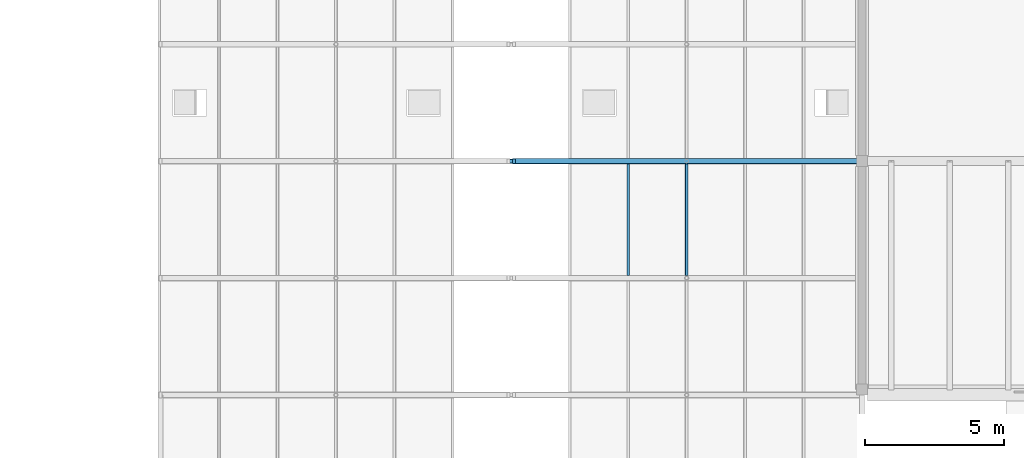
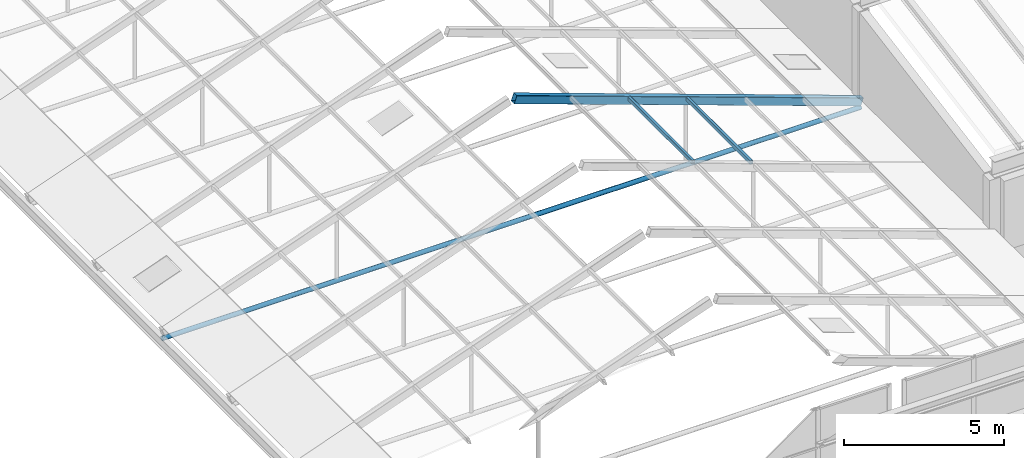
# One storey, part 44 of 116: 4 members.
"""IFC4 building model written with IfcOpenShell, lengths in metres."""

from ifc_helpers import new_model, si_unit, direction, frame, origin, origin_2d, place, context, subcontext, project, spatial, hollow_rectangle, hollow_circle, extrude, material, material_profile, profile_set, type_object, element, save


model = new_model("IFC4")

# Units and contexts
model_context = context("Model", 3, precision=1e-05, world=origin(), true_north=direction((0.0, 1.0)))
body_context = subcontext(model_context, "Body", "Model", "MODEL_VIEW")
ifc_project = project(units=[si_unit("LENGTHUNIT", "METRE"), si_unit("AREAUNIT", "SQUARE_METRE"), si_unit("VOLUMEUNIT", "CUBIC_METRE"), si_unit("PLANEANGLEUNIT", "RADIAN"), si_unit("MASSUNIT", "GRAM", prefix="KILO")], contexts=[model_context])

# Site, building, storey
site_placement = place(None, origin())
site = spatial("IfcSite", under=ifc_project, at=site_placement, CompositionType="ELEMENT")
building_placement = place(site_placement, origin())
building = spatial("IfcBuilding", under=site, at=building_placement, Name="Fescue Hill Polytechnic", CompositionType="ELEMENT")
storey_placement = place(building_placement, frame((0.0, 0.0, 13.5)))
storey = spatial("IfcBuildingStorey", under=building, at=storey_placement, Name="L03", CompositionType="ELEMENT", Elevation=13.5)

# Members
ifc_material = material(Name="Steel 350W (350 MPa)", Category="steel")
ifc_material_profile_1 = material_profile(ifc_material, hollow_rectangle(XDim=0.1015625, YDim=0.15234375, WallThickness=0.00634765625, InnerFilletRadius=0.00634765625, OuterFilletRadius=0.0126953125, at=origin_2d()), Name="Winter garden glazing purlin HSS 152x102x6.4")
ifc_profile_set_1 = profile_set([ifc_material_profile_1], Name="Steel 350W (350 MPa)")
member_type_1 = type_object("IfcMemberType", Name="Winter garden glazing purlin HSS 152x102x6.4", PredefinedType="PURLIN", material=ifc_profile_set_1)
for number, where, z_axis, x_axis, name in (
    (1, (111.30029296875, 63.1015625, 2.914306640625), (0.0, 1.0, 0.0), (-1.0, 0.0, 0.0), "Winter garden glazing purlin E3 bay 4"),
    (2, (109.200439453125, 63.1015625, 3.664306640625), (0.0, 1.0, 0.0), (-1.0, 0.0, 0.0), "Winter garden glazing purlin E4 bay 4"),
):
    element("IfcMember", number, at=place(storey_placement, frame(where, z_axis=z_axis, x_axis=x_axis)), inside=storey, type_object=member_type_1, Name=name, PredefinedType="PURLIN", context=body_context, shape_type="SweptSolid", body=[
        extrude(hollow_rectangle(XDim=0.1015625, YDim=0.15234375, WallThickness=0.00634765625, InnerFilletRadius=0.00634765625, OuterFilletRadius=0.0126953125, at=origin_2d()), origin(), (0.0, 0.0, 1.0), 3.996826171875),
    ])
ifc_material_profile_2 = material_profile(ifc_material, hollow_rectangle(XDim=0.203125, YDim=0.3046875, WallThickness=0.009521484375, InnerFilletRadius=0.009521484375, OuterFilletRadius=0.01904296875, at=origin_2d()), Name="Winter garden rafter HSS 305x203x9.5")
ifc_profile_set_2 = profile_set([ifc_material_profile_2], Name="Steel 350W (350 MPa)")
member_type_2 = type_object("IfcMemberType", Name="Winter garden rafter HSS 305x203x9.5", PredefinedType="RAFTER", material=ifc_profile_set_2)
member_1_placement = place(storey_placement, frame((117.60009765625, 67.199951171875, 0.578857421875), z_axis=(-0.941740247025, 0.0, 0.336341057756), x_axis=(0.0, -1.0, 0.0)))
element("IfcMember", 3, at=member_1_placement, inside=storey, type_object=member_type_2, Name="Winter garden rafter E5", PredefinedType="RAFTER", context=body_context, shape_type="SweptSolid", body=[
    extrude(hollow_rectangle(XDim=0.203125, YDim=0.3046875, WallThickness=0.009521484375, InnerFilletRadius=0.009521484375, OuterFilletRadius=0.01904296875, at=origin_2d()), origin(), (0.0, 0.0, 1.0), 13.273193359375),
])
ifc_material_profile_3 = material_profile(ifc_material, hollow_circle(Radius=0.084228515625, WallThickness=0.009521484375, at=origin_2d()), Name="Winter garden tie CHS 168x9.5")
ifc_profile_set_3 = profile_set([ifc_material_profile_3], Name="Steel 350W (350 MPa)")
member_type_3 = type_object("IfcMemberType", Name="Winter garden tie CHS 168x9.5", PredefinedType="STRUT", material=ifc_profile_set_3)
member_2_placement = place(storey_placement, frame((92.39990234375, 67.199951171875, 0.332763671875), z_axis=(1.0, 0.0, 0.0), x_axis=(0.0, 1.0, 0.0)))
element("IfcMember", 4, at=member_2_placement, inside=storey, type_object=member_type_3, Name="Winter garden tie 5", PredefinedType="STRUT", context=body_context, shape_type="SweptSolid", body=[
    extrude(hollow_circle(Radius=0.084228515625, WallThickness=0.009521484375, at=origin_2d()), origin(), (0.0, 0.0, 1.0), 25.2001953125),
])

save(model, "model.ifc")
